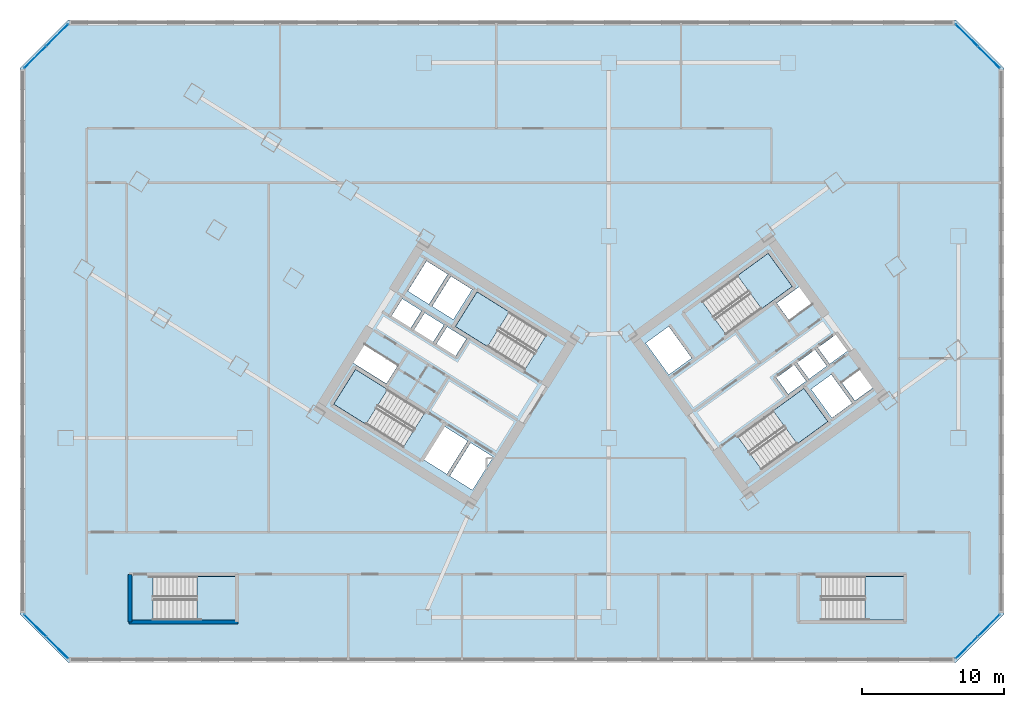
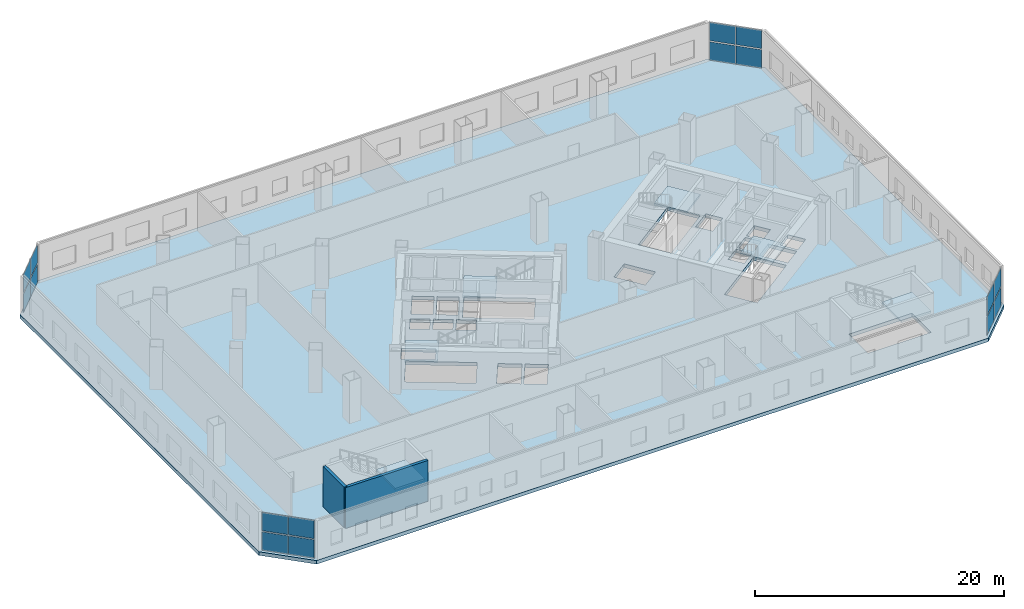
# One storey, part 9 of 22: 16 plates, 7 slabs, 2 walls, 10 elements without a shape of their own.
"""IFC4 building model written with IfcOpenShell, lengths in metres."""

from ifc_helpers import new_model, si_unit, direction, frame, frame_2d, origin, origin_2d, place, context, subcontext, project, spatial, polyline, rectangle, outline, extrude, source, transform, mapped, material, layer, layer_set, type_object, element, aggregate, save


model = new_model("IFC4")

# Units and contexts
model_context = context("Model", 3, precision=1e-05, world=origin(), true_north=direction((0.0, 1.0)))
body_context = subcontext(model_context, "Body", "Model", "MODEL_VIEW")
ifc_project = project(units=[si_unit("LENGTHUNIT", "METRE"), si_unit("AREAUNIT", "SQUARE_METRE"), si_unit("VOLUMEUNIT", "CUBIC_METRE"), si_unit("PLANEANGLEUNIT", "RADIAN"), si_unit("MASSUNIT", "GRAM", prefix="KILO")], contexts=[model_context])

# Site, building, storey
site_placement = place(None, origin())
site = spatial("IfcSite", under=ifc_project, at=site_placement, CompositionType="ELEMENT")
building_placement = place(site_placement, origin())
building = spatial("IfcBuilding", under=site, at=building_placement, Name="Tlacorven Tower", CompositionType="ELEMENT")
storey_placement = place(building_placement, frame((0.0, 0.0, 14.39990234375)))
storey = spatial("IfcBuildingStorey", under=building, at=storey_placement, Name="L03", CompositionType="ELEMENT", Elevation=14.39990234375)

# Stair, slab
ifc_material_1 = material(Name="Concrete C40/50", Category="concrete")
stair_type_1 = type_object("IfcStairType", Name="ST-CORE-DLG", PredefinedType="HALF_TURN_STAIR", material=ifc_material_1)
stair_1_placement = place(storey_placement, origin())
stair_1 = element("IfcStair", 1, at=stair_1_placement, inside=storey, type_object=stair_type_1, Name="L03 Protected Exit Stair West 1", PredefinedType="HALF_TURN_STAIR")
ifc_layer_1 = layer(ifc_material_1, 0.199951171875)
ifc_layer_set_1 = layer_set([ifc_layer_1], Name="Concrete C40/50")
slab_type_1 = type_object("IfcSlabType", Name="SL-LND-200", PredefinedType="LANDING", material=ifc_layer_set_1)
slab_1_placement = place(storey_placement, frame((0.0, 0.0, 1.900146484375)))
slab_1 = element("IfcSlab", 2, at=slab_1_placement, type_object=slab_type_1, Name="ST-W1 landing 1", PredefinedType="LANDING", context=body_context, shape_type="SweptSolid", body=[
    extrude(outline(polyline([(27.25341796875, 20.61181640625), (24.9892578125, 22.02685546875), (23.463134765625, 19.58447265625), (25.727294921875, 18.16943359375), (27.25341796875, 20.61181640625)])), origin(), (0.0, 0.0, 1.0), 0.199951171875),
])
aggregate(stair_1, [slab_1])

stair_2_placement = place(storey_placement, origin())
stair_2 = element("IfcStair", 3, at=stair_2_placement, inside=storey, type_object=stair_type_1, Name="L03 Protected Exit Stair West 2", PredefinedType="HALF_TURN_STAIR")
slab_2_placement = place(storey_placement, frame((0.0, 0.0, 1.900146484375)))
slab_2 = element("IfcSlab", 4, at=slab_2_placement, type_object=slab_type_1, Name="ST-W2 landing 1", PredefinedType="LANDING", context=body_context, shape_type="SweptSolid", body=[
    extrude(outline(polyline([(35.80517578125, 26.069580078125), (33.540771484375, 27.484375), (32.0146484375, 25.0419921875), (34.27880859375, 23.627197265625), (35.80517578125, 26.069580078125)])), origin(), (0.0, 0.0, 1.0), 0.199951171875),
])
aggregate(stair_2, [slab_2])

stair_3_placement = place(storey_placement, origin())
stair_3 = element("IfcStair", 5, at=stair_3_placement, inside=storey, type_object=stair_type_1, Name="L03 Protected Exit Stair East 1", PredefinedType="HALF_TURN_STAIR")
slab_3_placement = place(storey_placement, frame((0.0, 0.0, 1.900146484375)))
slab_3 = element("IfcSlab", 6, at=slab_3_placement, type_object=slab_type_1, Name="ST-E1 landing 1", PredefinedType="LANDING", context=body_context, shape_type="SweptSolid", body=[
    extrude(outline(polyline([(53.55078125, 26.292236328125), (55.7109375, 27.861572265625), (54.01806640625, 30.19140625), (51.85791015625, 28.6220703125), (53.55078125, 26.292236328125)])), origin(), (0.0, 0.0, 1.0), 0.199951171875),
])
aggregate(stair_3, [slab_3])

stair_4_placement = place(storey_placement, origin())
stair_4 = element("IfcStair", 7, at=stair_4_placement, inside=storey, type_object=stair_type_1, Name="L03 Protected Exit Stair East 2", PredefinedType="HALF_TURN_STAIR")
slab_4_placement = place(storey_placement, frame((0.0, 0.0, 1.900146484375)))
slab_4 = element("IfcSlab", 8, at=slab_4_placement, type_object=slab_type_1, Name="ST-E2 landing 1", PredefinedType="LANDING", context=body_context, shape_type="SweptSolid", body=[
    extrude(outline(polyline([(56.0546875, 16.7890625), (58.21484375, 18.3583984375), (56.52197265625, 20.6884765625), (54.362060546875, 19.118896484375), (56.0546875, 16.7890625)])), origin(), (0.0, 0.0, 1.0), 0.199951171875),
])
aggregate(stair_4, [slab_4])

stair_type_2 = type_object("IfcStairType", Name="ST-POD-DLG", PredefinedType="HALF_TURN_STAIR", material=ifc_material_1)
stair_5_placement = place(storey_placement, origin())
stair_5 = element("IfcStair", 9, at=stair_5_placement, inside=storey, type_object=stair_type_2, Name="L03 Podium Station Exit Stair 1", PredefinedType="HALF_TURN_STAIR")
slab_5_placement = place(storey_placement, frame((0.0, 0.0, 1.900146484375)))
slab_5 = element("IfcSlab", 10, at=slab_5_placement, type_object=slab_type_1, Name="ST-P1 landing 1", PredefinedType="LANDING", context=body_context, shape_type="SweptSolid", body=[
    extrude(outline(polyline([(13.830078125, 4.39990234375), (16.60009765625, 4.39990234375), (16.60009765625, 7.47998046875), (13.830078125, 7.47998046875), (13.830078125, 4.39990234375)])), origin(), (0.0, 0.0, 1.0), 0.199951171875),
])
aggregate(stair_5, [slab_5])

stair_6_placement = place(storey_placement, origin())
stair_6 = element("IfcStair", 11, at=stair_6_placement, inside=storey, type_object=stair_type_2, Name="L03 Podium Station Exit Stair 2", PredefinedType="HALF_TURN_STAIR")
slab_6_placement = place(storey_placement, frame((0.0, 0.0, 1.900146484375)))
slab_6 = element("IfcSlab", 12, at=slab_6_placement, type_object=slab_type_1, Name="ST-P2 landing 1", PredefinedType="LANDING", context=body_context, shape_type="SweptSolid", body=[
    extrude(outline(polyline([(60.830078125, 4.39990234375), (63.60009765625, 4.39990234375), (63.60009765625, 7.47998046875), (60.830078125, 7.47998046875), (60.830078125, 4.39990234375)])), origin(), (0.0, 0.0, 1.0), 0.199951171875),
])
aggregate(stair_6, [slab_6])

# Slab
ifc_layer_2 = layer(ifc_material_1, 0.35009765625)
ifc_layer_set_2 = layer_set([ifc_layer_2], Name="Concrete C40/50")
slab_type_2 = type_object("IfcSlabType", Name="SL-POD-350", PredefinedType="FLOOR", material=ifc_layer_set_2)
slab_7_placement = place(storey_placement, frame((0.0, 0.0, -0.349853515625)))
element("IfcSlab", 13, at=slab_7_placement, inside=storey, type_object=slab_type_2, Name="L03 Structural Podium Floor Slab", PredefinedType="FLOOR", context=body_context, shape_type="SweptSolid", body=[
    extrude(outline(polyline([(4.800048828125, 1.39990234375), (67.199951171875, 1.39990234375), (70.60009765625, 4.800048828125), (70.60009765625, 43.199951171875), (67.199951171875, 46.60009765625), (4.800048828125, 46.60009765625), (1.39990234375, 43.199951171875), (1.39990234375, 4.800048828125), (4.800048828125, 1.39990234375)]), holes=[polyline([(29.865478515625, 18.979736328125), (24.9892578125, 22.02685546875), (23.463134765625, 19.58447265625), (28.33935546875, 16.537353515625), (29.865478515625, 18.979736328125)]), polyline([(38.4169921875, 24.4375), (33.540771484375, 27.484375), (32.0146484375, 25.0419921875), (36.890869140625, 21.9951171875), (38.4169921875, 24.4375)]), polyline([(51.05908203125, 24.481689453125), (55.7109375, 27.861572265625), (54.01806640625, 30.19140625), (49.3662109375, 26.811767578125), (51.05908203125, 24.481689453125)]), polyline([(53.56298828125, 14.978759765625), (58.21484375, 18.3583984375), (56.52197265625, 20.6884765625), (51.8701171875, 17.30859375), (53.56298828125, 14.978759765625)]), polyline([(10.75, 4.39990234375), (16.60009765625, 4.39990234375), (16.60009765625, 7.47998046875), (10.75, 7.47998046875), (10.75, 4.39990234375)]), polyline([(57.75, 4.39990234375), (63.60009765625, 4.39990234375), (63.60009765625, 7.47998046875), (57.75, 7.47998046875), (57.75, 4.39990234375)]), polyline([(34.682373046875, 15.87548828125), (33.088134765625, 16.871826171875), (31.62548828125, 14.531005859375), (33.2197265625, 13.534912109375), (34.682373046875, 15.87548828125)]), polyline([(32.884521484375, 16.9990234375), (31.2392578125, 18.02685546875), (29.77685546875, 15.686279296875), (31.421875, 14.658203125), (32.884521484375, 16.9990234375)]), polyline([(47.0234375, 21.648681640625), (48.6416015625, 22.82421875), (47.019287109375, 25.05712890625), (45.401123046875, 23.881591796875), (47.0234375, 21.648681640625)]), polyline([(33.197265625, 27.65185546875), (31.704833984375, 28.58447265625), (30.3798828125, 26.46435546875), (31.87255859375, 25.53173828125), (33.197265625, 27.65185546875)]), polyline([(31.484375, 28.722412109375), (29.99169921875, 29.655029296875), (28.6669921875, 27.534912109375), (30.159423828125, 26.602294921875), (31.484375, 28.722412109375)]), polyline([(32.794921875, 24.17724609375), (31.43798828125, 25.025146484375), (30.685546875, 23.82080078125), (32.042236328125, 22.972900390625), (32.794921875, 24.17724609375)]), polyline([(31.217529296875, 25.162841796875), (29.860595703125, 26.0107421875), (29.108154296875, 24.806396484375), (30.465087890625, 23.958740234375), (31.217529296875, 25.162841796875)]), polyline([(29.64013671875, 26.1484375), (28.283203125, 26.996337890625), (27.53076171875, 25.792236328125), (28.8876953125, 24.9443359375), (29.64013671875, 26.1484375)]), polyline([(55.427734375, 20.288818359375), (56.68994140625, 21.205810546875), (55.855224609375, 22.354736328125), (54.59326171875, 21.437744140625), (55.427734375, 20.288818359375)]), polyline([(56.884033203125, 21.346923828125), (58.146240234375, 22.263916015625), (57.3115234375, 23.41259765625), (56.04931640625, 22.495849609375), (56.884033203125, 21.346923828125)]), polyline([(58.34033203125, 22.405029296875), (59.602294921875, 23.322021484375), (58.767578125, 24.470703125), (57.505615234375, 23.5537109375), (58.34033203125, 22.405029296875)]), polyline([(58.498779296875, 18.614013671875), (59.922607421875, 19.648681640625), (58.453125, 21.671142578125), (57.029296875, 20.63671875), (58.498779296875, 18.614013671875)]), polyline([(27.96142578125, 22.2919921875), (25.603759765625, 23.76513671875), (24.80908203125, 22.4931640625), (27.16650390625, 21.02001953125), (27.96142578125, 22.2919921875)]), polyline([(55.490478515625, 25.4765625), (57.092529296875, 26.640380859375), (56.210693359375, 27.85400390625), (54.60888671875, 26.690185546875), (55.490478515625, 25.4765625)]), polyline([(60.12109375, 19.817626953125), (61.38330078125, 20.734619140625), (60.45458984375, 22.012939453125), (59.192626953125, 21.095947265625), (60.12109375, 19.817626953125)])]), origin(), (0.0, 0.0, 1.0), 0.349853515625),
])

# Curtain wall, plates
ifc_material_2 = material(Name="Dark solar low-E double glazing in aluminium frame", Category="aluminium")
curtain_wall_type = type_object("IfcCurtainWallType", Name="CW-POD-CLINIC", PredefinedType="USERDEFINED", material=ifc_material_2)
curtain_wall_1_placement = place(storey_placement, origin())
curtain_wall_1 = element("IfcCurtainWall", 14, at=curtain_wall_1_placement, inside=storey, type_object=curtain_wall_type, Name="L03 Podium Chamfer Curtain Wall 1", ObjectType="UNITISED CURTAIN WALL", PredefinedType="USERDEFINED")
ifc_material_3 = material(Name="Dark solar double low-E glazing", Category="glass")
ifc_layer_3 = layer(ifc_material_3, 0.031982421875)
ifc_layer_set_3 = layer_set([ifc_layer_3], Name="Dark solar double low-E glazing")
plate_type = type_object("IfcPlateType", Name="CWP-02", PredefinedType="CURTAIN_PANEL", material=ifc_layer_set_3)
shared_shape = source(origin(), body_context, "Body", "SweptSolid", [
    extrude(rectangle(XDim=2.141845703125, YDim=0.031982421875, at=origin_2d()), origin(), (0.0, 0.0, 1.0), 1.802978515625),
])
plate_1_placement = place(storey_placement, frame((4.015380859375, 2.467529296875, 0.06103515625), z_axis=(0.0, 0.0, 1.0), x_axis=(-0.707106781187, 0.707106781187, 0.0)))
plate_1 = element("IfcPlate", 15, at=plate_1_placement, type_object=plate_type, Name="CW-L03-013 Glazing Panel 1", PredefinedType="CURTAIN_PANEL", context=body_context, shape_type="MappedRepresentation", body=[
    mapped(shared_shape, transform((0.0, 0.0, 0.0), scale=1.0)),
])
plate_2_placement = place(storey_placement, frame((4.015380859375, 2.467529296875, 1.986328125), z_axis=(0.0, 0.0, 1.0), x_axis=(-0.707106781187, 0.707106781187, 0.0)))
plate_2 = element("IfcPlate", 16, at=plate_2_placement, type_object=plate_type, Name="CW-L03-013 Glazing Panel 2", PredefinedType="CURTAIN_PANEL", context=body_context, shape_type="MappedRepresentation", body=[
    mapped(shared_shape, transform((0.0, 0.0, 0.0), scale=1.0)),
])
plate_3_placement = place(storey_placement, frame((2.467529296875, 4.015380859375, 0.06103515625), z_axis=(0.0, 0.0, 1.0), x_axis=(-0.707106781187, 0.707106781187, 0.0)))
plate_3 = element("IfcPlate", 17, at=plate_3_placement, type_object=plate_type, Name="CW-L03-013 Glazing Panel 3", PredefinedType="CURTAIN_PANEL", context=body_context, shape_type="MappedRepresentation", body=[
    mapped(shared_shape, transform((0.0, 0.0, 0.0), scale=1.0)),
])
plate_4_placement = place(storey_placement, frame((2.467529296875, 4.015380859375, 1.986328125), z_axis=(0.0, 0.0, 1.0), x_axis=(-0.707106781187, 0.707106781187, 0.0)))
plate_4 = element("IfcPlate", 18, at=plate_4_placement, type_object=plate_type, Name="CW-L03-013 Glazing Panel 4", PredefinedType="CURTAIN_PANEL", context=body_context, shape_type="MappedRepresentation", body=[
    mapped(shared_shape, transform((0.0, 0.0, 0.0), scale=1.0)),
])
aggregate(curtain_wall_1, [plate_1, plate_2, plate_3, plate_4])

curtain_wall_2_placement = place(storey_placement, origin())
curtain_wall_2 = element("IfcCurtainWall", 19, at=curtain_wall_2_placement, inside=storey, type_object=curtain_wall_type, Name="L03 Podium Chamfer Curtain Wall 3", ObjectType="UNITISED CURTAIN WALL", PredefinedType="USERDEFINED")
plate_5_placement = place(storey_placement, frame((2.467529296875, 43.984619140625, 0.06103515625), z_axis=(0.0, 0.0, 1.0), x_axis=(0.707106781187, 0.707106781187, 0.0)))
plate_5 = element("IfcPlate", 20, at=plate_5_placement, type_object=plate_type, Name="CW-L03-014 Glazing Panel 1", PredefinedType="CURTAIN_PANEL", context=body_context, shape_type="MappedRepresentation", body=[
    mapped(shared_shape, transform((0.0, 0.0, 0.0), scale=1.0)),
])
plate_6_placement = place(storey_placement, frame((2.467529296875, 43.984619140625, 1.986328125), z_axis=(0.0, 0.0, 1.0), x_axis=(0.707106781187, 0.707106781187, 0.0)))
plate_6 = element("IfcPlate", 21, at=plate_6_placement, type_object=plate_type, Name="CW-L03-014 Glazing Panel 2", PredefinedType="CURTAIN_PANEL", context=body_context, shape_type="MappedRepresentation", body=[
    mapped(shared_shape, transform((0.0, 0.0, 0.0), scale=1.0)),
])
plate_7_placement = place(storey_placement, frame((4.015380859375, 45.532470703125, 0.06103515625), z_axis=(0.0, 0.0, 1.0), x_axis=(0.707106781187, 0.707106781187, 0.0)))
plate_7 = element("IfcPlate", 22, at=plate_7_placement, type_object=plate_type, Name="CW-L03-014 Glazing Panel 3", PredefinedType="CURTAIN_PANEL", context=body_context, shape_type="MappedRepresentation", body=[
    mapped(shared_shape, transform((0.0, 0.0, 0.0), scale=1.0)),
])
plate_8_placement = place(storey_placement, frame((4.015380859375, 45.532470703125, 1.986328125), z_axis=(0.0, 0.0, 1.0), x_axis=(0.707106781187, 0.707106781187, 0.0)))
plate_8 = element("IfcPlate", 23, at=plate_8_placement, type_object=plate_type, Name="CW-L03-014 Glazing Panel 4", PredefinedType="CURTAIN_PANEL", context=body_context, shape_type="MappedRepresentation", body=[
    mapped(shared_shape, transform((0.0, 0.0, 0.0), scale=1.0)),
])
aggregate(curtain_wall_2, [plate_5, plate_6, plate_7, plate_8])

curtain_wall_3_placement = place(storey_placement, origin())
curtain_wall_3 = element("IfcCurtainWall", 24, at=curtain_wall_3_placement, inside=storey, type_object=curtain_wall_type, Name="L03 Podium Chamfer Curtain Wall 5", ObjectType="UNITISED CURTAIN WALL", PredefinedType="USERDEFINED")
plate_9_placement = place(storey_placement, frame((67.984619140625, 45.532470703125, 0.06103515625), z_axis=(0.0, 0.0, 1.0), x_axis=(0.707106781187, -0.707106781187, 0.0)))
plate_9 = element("IfcPlate", 25, at=plate_9_placement, type_object=plate_type, Name="CW-L03-015 Glazing Panel 1", PredefinedType="CURTAIN_PANEL", context=body_context, shape_type="MappedRepresentation", body=[
    mapped(shared_shape, transform((0.0, 0.0, 0.0), scale=1.0)),
])
plate_10_placement = place(storey_placement, frame((67.984619140625, 45.532470703125, 1.986328125), z_axis=(0.0, 0.0, 1.0), x_axis=(0.707106781187, -0.707106781187, 0.0)))
plate_10 = element("IfcPlate", 26, at=plate_10_placement, type_object=plate_type, Name="CW-L03-015 Glazing Panel 2", PredefinedType="CURTAIN_PANEL", context=body_context, shape_type="MappedRepresentation", body=[
    mapped(shared_shape, transform((0.0, 0.0, 0.0), scale=1.0)),
])
plate_11_placement = place(storey_placement, frame((69.532470703125, 43.984619140625, 0.06103515625), z_axis=(0.0, 0.0, 1.0), x_axis=(0.707106781187, -0.707106781187, 0.0)))
plate_11 = element("IfcPlate", 27, at=plate_11_placement, type_object=plate_type, Name="CW-L03-015 Glazing Panel 3", PredefinedType="CURTAIN_PANEL", context=body_context, shape_type="MappedRepresentation", body=[
    mapped(shared_shape, transform((0.0, 0.0, 0.0), scale=1.0)),
])
plate_12_placement = place(storey_placement, frame((69.532470703125, 43.984619140625, 1.986328125), z_axis=(0.0, 0.0, 1.0), x_axis=(0.707106781187, -0.707106781187, 0.0)))
plate_12 = element("IfcPlate", 28, at=plate_12_placement, type_object=plate_type, Name="CW-L03-015 Glazing Panel 4", PredefinedType="CURTAIN_PANEL", context=body_context, shape_type="MappedRepresentation", body=[
    mapped(shared_shape, transform((0.0, 0.0, 0.0), scale=1.0)),
])
aggregate(curtain_wall_3, [plate_9, plate_10, plate_11, plate_12])

curtain_wall_4_placement = place(storey_placement, origin())
curtain_wall_4 = element("IfcCurtainWall", 29, at=curtain_wall_4_placement, inside=storey, type_object=curtain_wall_type, Name="L03 Podium Chamfer Curtain Wall 7", ObjectType="UNITISED CURTAIN WALL", PredefinedType="USERDEFINED")
plate_13_placement = place(storey_placement, frame((69.532470703125, 4.015380859375, 0.06103515625), z_axis=(0.0, 0.0, 1.0), x_axis=(-0.707106781187, -0.707106781187, 0.0)))
plate_13 = element("IfcPlate", 30, at=plate_13_placement, type_object=plate_type, Name="CW-L03-016 Glazing Panel 1", PredefinedType="CURTAIN_PANEL", context=body_context, shape_type="MappedRepresentation", body=[
    mapped(shared_shape, transform((0.0, 0.0, 0.0), scale=1.0)),
])
plate_14_placement = place(storey_placement, frame((69.532470703125, 4.015380859375, 1.986328125), z_axis=(0.0, 0.0, 1.0), x_axis=(-0.707106781187, -0.707106781187, 0.0)))
plate_14 = element("IfcPlate", 31, at=plate_14_placement, type_object=plate_type, Name="CW-L03-016 Glazing Panel 2", PredefinedType="CURTAIN_PANEL", context=body_context, shape_type="MappedRepresentation", body=[
    mapped(shared_shape, transform((0.0, 0.0, 0.0), scale=1.0)),
])
plate_15_placement = place(storey_placement, frame((67.984619140625, 2.467529296875, 0.06103515625), z_axis=(0.0, 0.0, 1.0), x_axis=(-0.707106781187, -0.707106781187, 0.0)))
plate_15 = element("IfcPlate", 32, at=plate_15_placement, type_object=plate_type, Name="CW-L03-016 Glazing Panel 3", PredefinedType="CURTAIN_PANEL", context=body_context, shape_type="MappedRepresentation", body=[
    mapped(shared_shape, transform((0.0, 0.0, 0.0), scale=1.0)),
])
plate_16_placement = place(storey_placement, frame((67.984619140625, 2.467529296875, 1.986328125), z_axis=(0.0, 0.0, 1.0), x_axis=(-0.707106781187, -0.707106781187, 0.0)))
plate_16 = element("IfcPlate", 33, at=plate_16_placement, type_object=plate_type, Name="CW-L03-016 Glazing Panel 4", PredefinedType="CURTAIN_PANEL", context=body_context, shape_type="MappedRepresentation", body=[
    mapped(shared_shape, transform((0.0, 0.0, 0.0), scale=1.0)),
])
aggregate(curtain_wall_4, [plate_13, plate_14, plate_15, plate_16])

# Walls
ifc_material_4 = material(Name="Concrete C50/60", Category="concrete")
ifc_layer_4 = layer(ifc_material_4, 0.260009765625)
ifc_layer_set_4 = layer_set([ifc_layer_4], Name="Concrete C50/60")
wall_type = type_object("IfcWallType", Name="WL-STW-260", PredefinedType="SHEAR", material=ifc_layer_set_4)
wall_1_placement = place(storey_placement, frame((9.070068359375, 4.260009765625, 0.0), z_axis=(0.0, 0.0, 1.0), x_axis=(1.0, 0.0, 0.0)))
element("IfcWall", 34, at=wall_1_placement, inside=storey, type_object=wall_type, Name="L03 Stair P1 South Wall", PredefinedType="SHEAR", context=body_context, shape_type="SweptSolid", body=[
    extrude(rectangle(XDim=7.659912109375, YDim=0.260009765625, at=frame_2d((3.830078125, 0.0))), origin(), (0.0, 0.0, 1.0), 4.0),
])
wall_2_placement = place(storey_placement, frame((9.139892578125, 4.260009765625, 0.0), z_axis=(0.0, 0.0, 1.0), x_axis=(0.0, 1.0, 0.0)))
element("IfcWall", 35, at=wall_2_placement, inside=storey, type_object=wall_type, Name="L03 Stair P1 West Wall", PredefinedType="SHEAR", context=body_context, shape_type="SweptSolid", body=[
    extrude(rectangle(XDim=3.360107421875, YDim=0.260009765625, at=frame_2d((1.68017578125, 0.0))), origin(), (0.0, 0.0, 1.0), 4.0),
])

save(model, "model.ifc")
